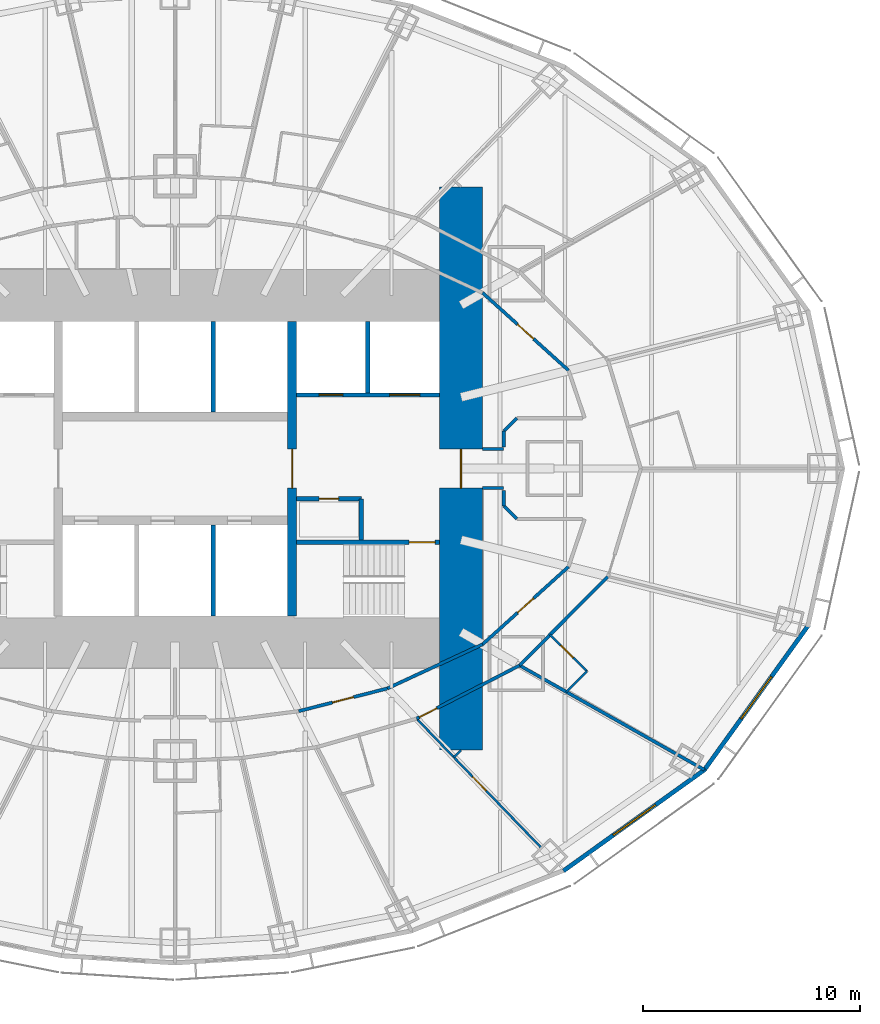
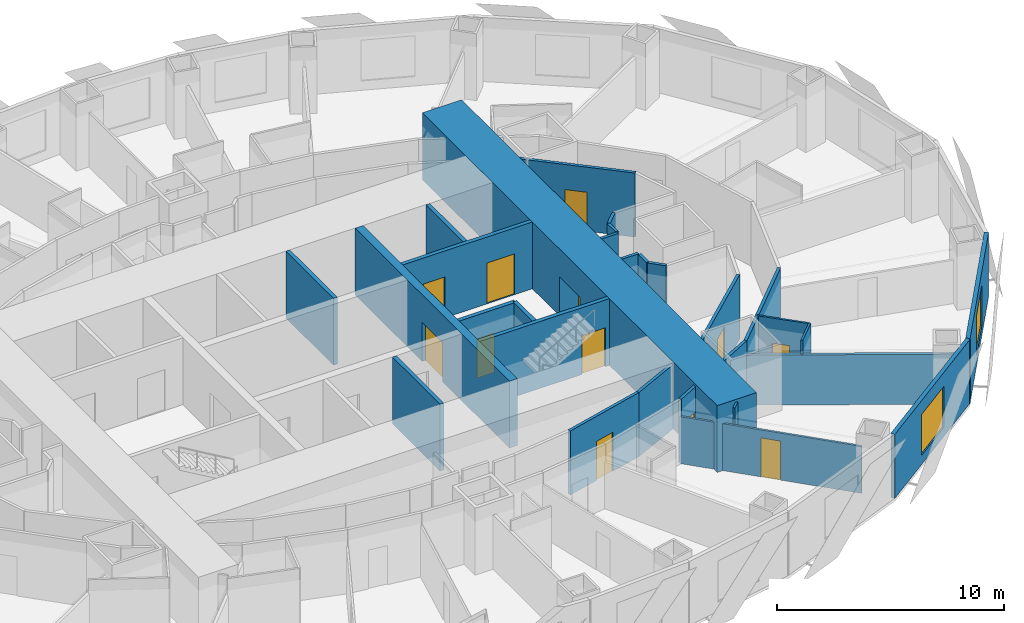
# One storey, part 7 of 15: 28 walls, 12 doors, 2 windows, 14 openings.
"""IFC4 building model written with IfcOpenShell, lengths in metres."""

from ifc_helpers import new_model, si_unit, direction, frame, frame_2d, origin, place, context, subcontext, project, spatial, rectangle, extrude, material, layer, layer_set, type_object, element, fill, save


model = new_model("IFC4")

# Units and contexts
model_context = context("Model", 3, precision=1e-05, world=origin(), true_north=direction((0.0, 1.0)))
body_context = subcontext(model_context, "Body", "Model", "MODEL_VIEW")
ifc_project = project(units=[si_unit("LENGTHUNIT", "METRE"), si_unit("AREAUNIT", "SQUARE_METRE"), si_unit("VOLUMEUNIT", "CUBIC_METRE"), si_unit("PLANEANGLEUNIT", "RADIAN"), si_unit("MASSUNIT", "GRAM", prefix="KILO")], contexts=[model_context])

# Site, building, storey
site_placement = place(None, origin())
site = spatial("IfcSite", under=ifc_project, at=site_placement, CompositionType="ELEMENT")
building_placement = place(site_placement, origin())
building = spatial("IfcBuilding", under=site, at=building_placement, Name="Lantaw Convention Tower", CompositionType="ELEMENT")
storey_placement = place(building_placement, frame((0.0, 0.0, 47.800048828125)))
storey = spatial("IfcBuildingStorey", under=building, at=storey_placement, Name="L09", CompositionType="ELEMENT", Elevation=47.800048828125)

# Wall, opening, door
ifc_material_1 = material(Name="Moisture resistant gypsum board on steel studs", Category="steel")
ifc_layer_1 = layer(ifc_material_1, 0.10009765625)
ifc_layer_set_1 = layer_set([ifc_layer_1], Name="Bathroom wall 100")
wall_type_1 = type_object("IfcWallType", Name="Bathroom wall 100", PredefinedType="PARTITIONING", material=ifc_layer_set_1)
wall_1_placement = place(storey_placement, frame((17.311279296875, -7.668212890625, 0.0), z_axis=(0.0, 0.0, 1.0), x_axis=(0.709138392716, -0.705069315724, 0.0)))
wall_1 = element("IfcWall", 1, at=wall_1_placement, inside=storey, type_object=wall_type_1, Name="Bathroom wall 100", PredefinedType="PARTITIONING", context=body_context, shape_type="SweptSolid", body=[
    extrude(rectangle(XDim=2.39990234375, YDim=0.10009765625, at=frame_2d((1.199951171875, 0.0))), origin(), (0.0, 0.0, 1.0), 3.449951171875),
])
opening_1_placement = place(wall_1_placement, frame((0.699951171875, 0.0, 0.0)))
opening_1 = element("IfcOpeningElement", 2, at=opening_1_placement, cuts=wall_1, Name="Opening L09.59", PredefinedType="OPENING", context=body_context, shape_type="SweptSolid", body=[
    extrude(rectangle(XDim=0.800048828125, YDim=2.10009765625, at=frame_2d((0.39990234375, 1.050048828125))), frame((0.0, 0.06005859375, 0.0), z_axis=(0.0, -1.0, 0.0), x_axis=(1.0, 0.0, 0.0)), (0.0, 0.0, 1.0), 0.1201171875),
])
ifc_material_2 = material(Name="Timber", Category="wood")
door_type_1 = type_object("IfcDoorType", Name="Bathroom door 800", OperationType="SINGLE_SWING_LEFT", PredefinedType="DOOR", material=ifc_material_2)
door_1_placement = place(opening_1_placement, origin())
door_1 = element("IfcDoor", 3, at=door_1_placement, inside=storey, type_object=door_type_1, Name="Bathroom door", OperationType="SINGLE_SWING_LEFT", OverallHeight=2.10009765625, OverallWidth=0.800048828125, PredefinedType="DOOR", context=body_context, shape_type="SweptSolid", body=[
    extrude(rectangle(XDim=0.800048828125, YDim=2.10009765625, at=frame_2d((0.39990234375, 1.050048828125))), frame((0.0, 0.02490234375, 0.0), z_axis=(0.0, -1.0, 0.0), x_axis=(1.0, 0.0, 0.0)), (0.0, 0.0, 1.0), 0.050048828125),
])
fill(opening_1, door_1)

# Wall
wall_2_placement = place(storey_placement, frame((19.01318359375, -9.3603515625, 0.0), z_axis=(0.0, 0.0, 1.0), x_axis=(-0.7051187611, -0.709089227633, 0.0)))
element("IfcWall", 4, at=wall_2_placement, inside=storey, type_object=wall_type_1, Name="Bathroom wall 100", PredefinedType="PARTITIONING", context=body_context, shape_type="SweptSolid", body=[
    extrude(rectangle(XDim=1.352783203125, YDim=0.10009765625, at=frame_2d((0.67626953125, 0.0))), origin(), (0.0, 0.0, 1.0), 3.449951171875),
])

# Wall, opening, door
ifc_material_3 = material(Name="Concrete C60/75", Category="concrete")
ifc_layer_2 = layer(ifc_material_3, 0.199951171875)
ifc_layer_set_2 = layer_set([ifc_layer_2], Name="Core wall 200")
wall_type_2 = type_object("IfcWallType", Name="Core wall 200", PredefinedType="SHEAR", material=ifc_layer_set_2)
wall_3_placement = place(storey_placement, frame((5.60009765625, -3.39990234375, 0.0), z_axis=(0.0, 0.0, 1.0), x_axis=(1.0, 0.0, 0.0)))
wall_3 = element("IfcWall", 5, at=wall_3_placement, inside=storey, type_object=wall_type_2, Name="Core wall ES", PredefinedType="SHEAR", context=body_context, shape_type="SweptSolid", body=[
    extrude(rectangle(XDim=6.599853515625, YDim=0.199951171875, at=frame_2d((3.2998046875, 0.0))), origin(), (0.0, 0.0, 1.0), 3.599853515625),
])
opening_2_placement = place(wall_3_placement, frame((5.199951171875, 0.0, 0.0)))
opening_2 = element("IfcOpeningElement", 6, at=opening_2_placement, cuts=wall_3, Name="Opening L09.04", PredefinedType="OPENING", context=body_context, shape_type="SweptSolid", body=[
    extrude(rectangle(XDim=1.199951171875, YDim=2.10009765625, at=frame_2d((0.60009765625, 1.050048828125))), frame((0.0, 0.10986328125, 0.0), z_axis=(0.0, -1.0, 0.0), x_axis=(1.0, 0.0, 0.0)), (0.0, 0.0, 1.0), 0.219970703125),
])
ifc_material_4 = material(Name="Steel, fire rated", Category="steel")
door_type_2 = type_object("IfcDoorType", Name="Stair door FD90", OperationType="SINGLE_SWING_RIGHT", PredefinedType="DOOR", material=ifc_material_4)
door_2_placement = place(opening_2_placement, origin())
door_2 = element("IfcDoor", 7, at=door_2_placement, inside=storey, type_object=door_type_2, Name="Exit stair door", OperationType="SINGLE_SWING_RIGHT", OverallHeight=2.10009765625, OverallWidth=1.199951171875, PredefinedType="DOOR", context=body_context, shape_type="SweptSolid", body=[
    extrude(rectangle(XDim=1.199951171875, YDim=2.10009765625, at=frame_2d((0.60009765625, 1.050048828125))), frame((0.0, 0.02490234375, 0.0), z_axis=(0.0, -1.0, 0.0), x_axis=(1.0, 0.0, 0.0)), (0.0, 0.0, 1.0), 0.050048828125),
])
fill(opening_2, door_2)

ifc_layer_3 = layer(ifc_material_3, 2.0)
ifc_layer_set_3 = layer_set([ifc_layer_3], Name="Core wall 2000")
wall_type_3 = type_object("IfcWallType", Name="Core wall 2000", PredefinedType="SHEAR", material=ifc_layer_set_3)
wall_4_placement = place(storey_placement, frame((13.199951171875, -13.0, 0.0), z_axis=(0.0, 0.0, 1.0), x_axis=(0.0, 1.0, 0.0)))
wall_4 = element("IfcWall", 8, at=wall_4_placement, inside=storey, type_object=wall_type_3, Name="Core wall E", PredefinedType="SHEAR", context=body_context, shape_type="SweptSolid", body=[
    extrude(rectangle(XDim=26.0, YDim=2.0, at=frame_2d((13.0, 0.0))), origin(), (0.0, 0.0, 1.0), 3.599853515625),
])
opening_3_placement = place(wall_4_placement, frame((12.10009765625, 0.0, 0.0)))
opening_3 = element("IfcOpeningElement", 9, at=opening_3_placement, cuts=wall_4, Name="Opening L09.06", PredefinedType="OPENING", context=body_context, shape_type="SweptSolid", body=[
    extrude(rectangle(XDim=1.800048828125, YDim=2.10009765625, at=frame_2d((0.89990234375, 1.050048828125))), frame((0.0, 1.010009765625, 0.0), z_axis=(0.0, -1.0, 0.0), x_axis=(1.0, 0.0, 0.0)), (0.0, 0.0, 1.0), 2.02001953125),
])
door_type_3 = type_object("IfcDoorType", Name="Lobby double door FD90", OperationType="DOUBLE_DOOR_DOUBLE_SWING", PredefinedType="DOOR", material=ifc_material_4)
door_3_placement = place(opening_3_placement, origin())
door_3 = element("IfcDoor", 10, at=door_3_placement, inside=storey, type_object=door_type_3, Name="Firefighting lobby door", OperationType="DOUBLE_DOOR_DOUBLE_SWING", OverallHeight=2.10009765625, OverallWidth=1.800048828125, PredefinedType="DOOR", context=body_context, shape_type="SweptSolid", body=[
    extrude(rectangle(XDim=1.800048828125, YDim=2.10009765625, at=frame_2d((0.89990234375, 1.050048828125))), frame((0.0, 0.02490234375, 0.0), z_axis=(0.0, -1.0, 0.0), x_axis=(1.0, 0.0, 0.0)), (0.0, 0.0, 1.0), 0.050048828125),
])
fill(opening_3, door_3)

ifc_layer_4 = layer(ifc_material_3, 0.39990234375)
ifc_layer_set_4 = layer_set([ifc_layer_4], Name="Core wall 400")
wall_type_4 = type_object("IfcWallType", Name="Core wall 400", PredefinedType="SHEAR", material=ifc_layer_set_4)
wall_5_placement = place(storey_placement, frame((5.39990234375, -6.800048828125, 0.0), z_axis=(0.0, 0.0, 1.0), x_axis=(0.0, 1.0, 0.0)))
wall_5 = element("IfcWall", 11, at=wall_5_placement, inside=storey, type_object=wall_type_4, Name="Core wall XE", PredefinedType="SHEAR", context=body_context, shape_type="SweptSolid", body=[
    extrude(rectangle(XDim=13.60009765625, YDim=0.39990234375, at=frame_2d((6.800048828125, 0.0))), origin(), (0.0, 0.0, 1.0), 3.599853515625),
])
opening_4_placement = place(wall_5_placement, frame((5.89990234375, 0.0, 0.0)))
opening_4 = element("IfcOpeningElement", 12, at=opening_4_placement, cuts=wall_5, Name="Opening L09.02", PredefinedType="OPENING", context=body_context, shape_type="SweptSolid", body=[
    extrude(rectangle(XDim=1.800048828125, YDim=2.10009765625, at=frame_2d((0.89990234375, 1.050048828125))), frame((0.0, 0.2099609375, 0.0), z_axis=(0.0, -1.0, 0.0), x_axis=(1.0, 0.0, 0.0)), (0.0, 0.0, 1.0), 0.419921875),
])
door_4_placement = place(opening_4_placement, origin())
door_4 = element("IfcDoor", 13, at=door_4_placement, inside=storey, type_object=door_type_3, Name="Lift lobby door", OperationType="DOUBLE_DOOR_DOUBLE_SWING", OverallHeight=2.10009765625, OverallWidth=1.800048828125, PredefinedType="DOOR", context=body_context, shape_type="SweptSolid", body=[
    extrude(rectangle(XDim=1.800048828125, YDim=2.10009765625, at=frame_2d((0.89990234375, 1.050048828125))), frame((0.0, 0.02490234375, 0.0), z_axis=(0.0, -1.0, 0.0), x_axis=(1.0, 0.0, 0.0)), (0.0, 0.0, 1.0), 0.050048828125),
])
fill(opening_4, door_4)

ifc_material_5 = material(Name="Gypsum board on steel studs, fire rated", Category="steel")
ifc_layer_5 = layer(ifc_material_5, 0.14990234375)
ifc_layer_set_5 = layer_set([ifc_layer_5], Name="Corridor wall 150 EI 60")
wall_type_5 = type_object("IfcWallType", Name="Corridor wall 150 EI 60", PredefinedType="PARTITIONING", material=ifc_layer_set_5)
wall_6_placement = place(storey_placement, frame((11.1474609375, -11.543701171875, 0.0), z_axis=(0.0, 0.0, 1.0), x_axis=(0.888333171507, 0.459199495209, 0.0)))
wall_6 = element("IfcWall", 14, at=wall_6_placement, inside=storey, type_object=wall_type_5, Name="Corridor wall 150", PredefinedType="PARTITIONING", context=body_context, shape_type="SweptSolid", body=[
    extrude(rectangle(XDim=5.351318359375, YDim=0.14990234375, at=frame_2d((2.67578125, 0.0))), origin(), (0.0, 0.0, 1.0), 3.449951171875),
])
opening_5_placement = place(wall_6_placement, frame((0.14990234375, 0.0, 0.0)))
opening_5 = element("IfcOpeningElement", 15, at=opening_5_placement, cuts=wall_6, Name="Opening L09.58", PredefinedType="OPENING", context=body_context, shape_type="SweptSolid", body=[
    extrude(rectangle(XDim=0.89990234375, YDim=2.10009765625, at=frame_2d((0.449951171875, 1.050048828125))), frame((0.0, 0.0849609375, 0.0), z_axis=(0.0, -1.0, 0.0), x_axis=(1.0, 0.0, 0.0)), (0.0, 0.0, 1.0), 0.169921875),
])
door_type_4 = type_object("IfcDoorType", Name="Guest room entrance door FD30S", OperationType="SINGLE_SWING_LEFT", PredefinedType="DOOR", material=ifc_material_4)
door_5_placement = place(opening_5_placement, origin())
door_5 = element("IfcDoor", 16, at=door_5_placement, inside=storey, type_object=door_type_4, Name="Suite entrance door", OperationType="SINGLE_SWING_LEFT", OverallHeight=2.10009765625, OverallWidth=0.89990234375, PredefinedType="DOOR", context=body_context, shape_type="SweptSolid", body=[
    extrude(rectangle(XDim=0.89990234375, YDim=2.10009765625, at=frame_2d((0.449951171875, 1.050048828125))), frame((0.0, 0.02490234375, 0.0), z_axis=(0.0, -1.0, 0.0), x_axis=(1.0, 0.0, 0.0)), (0.0, 0.0, 1.0), 0.050048828125),
])
fill(opening_5, door_5)

# Wall
wall_7_placement = place(storey_placement, frame((15.901123046875, -9.08642578125, 0.0), z_axis=(0.0, 0.0, 1.0), x_axis=(0.705121546414, 0.709086457904, 0.0)))
element("IfcWall", 17, at=wall_7_placement, inside=storey, type_object=wall_type_5, Name="Corridor wall 150", PredefinedType="PARTITIONING", context=body_context, shape_type="SweptSolid", body=[
    extrude(rectangle(XDim=5.7880859375, YDim=0.14990234375, at=frame_2d((2.89404296875, 0.0))), origin(), (0.0, 0.0, 1.0), 3.449951171875),
])

# Wall, opening, door
wall_8_placement = place(storey_placement, frame((18.164306640625, 4.52880859375, 0.0), z_axis=(0.0, 0.0, 1.0), x_axis=(-0.742194222, 0.670184852731, 0.0)))
wall_8 = element("IfcWall", 18, at=wall_8_placement, inside=storey, type_object=wall_type_5, Name="Corridor wall 150", PredefinedType="PARTITIONING", context=body_context, shape_type="SweptSolid", body=[
    extrude(rectangle(XDim=5.3466796875, YDim=0.14990234375, at=frame_2d((2.67333984375, 0.0))), origin(), (0.0, 0.0, 1.0), 3.449951171875),
])
opening_6_placement = place(wall_8_placement, frame((2.17333984375, 0.0, 0.0)))
opening_6 = element("IfcOpeningElement", 19, at=opening_6_placement, cuts=wall_8, Name="Opening L09.15", PredefinedType="OPENING", context=body_context, shape_type="SweptSolid", body=[
    extrude(rectangle(XDim=1.0, YDim=2.10009765625, at=frame_2d((0.5, 1.050048828125))), frame((0.0, 0.0849609375, 0.0), z_axis=(0.0, -1.0, 0.0), x_axis=(1.0, 0.0, 0.0)), (0.0, 0.0, 1.0), 0.169921875),
])
door_type_5 = type_object("IfcDoorType", Name="Service door 1000 FD30", OperationType="SINGLE_SWING_LEFT", PredefinedType="DOOR", material=ifc_material_4)
door_6_placement = place(opening_6_placement, origin())
door_6 = element("IfcDoor", 20, at=door_6_placement, inside=storey, type_object=door_type_5, Name="Linen store door", OperationType="SINGLE_SWING_LEFT", OverallHeight=2.10009765625, OverallWidth=1.0, PredefinedType="DOOR", context=body_context, shape_type="SweptSolid", body=[
    extrude(rectangle(XDim=1.0, YDim=2.10009765625, at=frame_2d((0.5, 1.050048828125))), frame((0.0, 0.02490234375, 0.0), z_axis=(0.0, -1.0, 0.0), x_axis=(1.0, 0.0, 0.0)), (0.0, 0.0, 1.0), 0.050048828125),
])
fill(opening_6, door_6)

wall_9_placement = place(storey_placement, frame((5.705810546875, -11.198486328125, 0.0), z_axis=(0.0, 0.0, 1.0), x_axis=(0.968705891355, 0.248211393886, 0.0)))
wall_9 = element("IfcWall", 21, at=wall_9_placement, inside=storey, type_object=wall_type_5, Name="Corridor wall 150", PredefinedType="PARTITIONING", context=body_context, shape_type="SweptSolid", body=[
    extrude(rectangle(XDim=4.2275390625, YDim=0.14990234375, at=frame_2d((2.11376953125, 0.0))), origin(), (0.0, 0.0, 1.0), 3.449951171875),
])
opening_7_placement = place(wall_9_placement, frame((1.61376953125, 0.0, 0.0)))
opening_7 = element("IfcOpeningElement", 22, at=opening_7_placement, cuts=wall_9, Name="Opening L09.24", PredefinedType="OPENING", context=body_context, shape_type="SweptSolid", body=[
    extrude(rectangle(XDim=1.0, YDim=2.10009765625, at=frame_2d((0.5, 1.050048828125))), frame((0.0, 0.0849609375, 0.0), z_axis=(0.0, -1.0, 0.0), x_axis=(1.0, 0.0, 0.0)), (0.0, 0.0, 1.0), 0.169921875),
])
door_7_placement = place(opening_7_placement, origin())
door_7 = element("IfcDoor", 23, at=door_7_placement, inside=storey, type_object=door_type_5, Name="Room service pantry door", OperationType="SINGLE_SWING_LEFT", OverallHeight=2.10009765625, OverallWidth=1.0, PredefinedType="DOOR", context=body_context, shape_type="SweptSolid", body=[
    extrude(rectangle(XDim=1.0, YDim=2.10009765625, at=frame_2d((0.5, 1.050048828125))), frame((0.0, 0.02490234375, 0.0), z_axis=(0.0, -1.0, 0.0), x_axis=(1.0, 0.0, 0.0)), (0.0, 0.0, 1.0), 0.050048828125),
])
fill(opening_7, door_7)

# Wall
wall_10_placement = place(storey_placement, frame((9.801025390625, -10.149169921875, 0.0), z_axis=(0.0, 0.0, 1.0), x_axis=(0.907279653965, 0.420527798727, 0.0)))
element("IfcWall", 24, at=wall_10_placement, inside=storey, type_object=wall_type_5, Name="Corridor wall 150", PredefinedType="PARTITIONING", context=body_context, shape_type="SweptSolid", body=[
    extrude(rectangle(XDim=4.84423828125, YDim=0.14990234375, at=frame_2d((2.422119140625, 0.0))), origin(), (0.0, 0.0, 1.0), 3.449951171875),
])

# Wall, opening, door
wall_11_placement = place(storey_placement, frame((14.196044921875, -8.112060546875, 0.0), z_axis=(0.0, 0.0, 1.0), x_axis=(0.742194222, 0.670184852731, 0.0)))
wall_11 = element("IfcWall", 25, at=wall_11_placement, inside=storey, type_object=wall_type_5, Name="Corridor wall 150", PredefinedType="PARTITIONING", context=body_context, shape_type="SweptSolid", body=[
    extrude(rectangle(XDim=5.3466796875, YDim=0.14990234375, at=frame_2d((2.67333984375, 0.0))), origin(), (0.0, 0.0, 1.0), 3.449951171875),
])
opening_8_placement = place(wall_11_placement, frame((2.17333984375, 0.0, 0.0)))
opening_8 = element("IfcOpeningElement", 26, at=opening_8_placement, cuts=wall_11, Name="Opening L09.23", PredefinedType="OPENING", context=body_context, shape_type="SweptSolid", body=[
    extrude(rectangle(XDim=1.0, YDim=2.10009765625, at=frame_2d((0.5, 1.050048828125))), frame((0.0, 0.0849609375, 0.0), z_axis=(0.0, -1.0, 0.0), x_axis=(1.0, 0.0, 0.0)), (0.0, 0.0, 1.0), 0.169921875),
])
door_8_placement = place(opening_8_placement, origin())
door_8 = element("IfcDoor", 27, at=door_8_placement, inside=storey, type_object=door_type_5, Name="Room service pantry door", OperationType="SINGLE_SWING_LEFT", OverallHeight=2.10009765625, OverallWidth=1.0, PredefinedType="DOOR", context=body_context, shape_type="SweptSolid", body=[
    extrude(rectangle(XDim=1.0, YDim=2.10009765625, at=frame_2d((0.5, 1.050048828125))), frame((0.0, 0.02490234375, 0.0), z_axis=(0.0, -1.0, 0.0), x_axis=(1.0, 0.0, 0.0)), (0.0, 0.0, 1.0), 0.050048828125),
])
fill(opening_8, door_8)

# Walls
for number, where, z_axis, x_axis, name in (
    (28, (14.199951171875, -0.89990234375, 0.0), (0.0, 0.0, 1.0), (1.0, 0.0, 0.0), "Corridor wall 150"),
    (29, (14.199951171875, 0.89990234375, 0.0), (0.0, 0.0, 1.0), (1.0, 0.0, 0.0), "Corridor wall 150"),
):
    element("IfcWall", number, at=place(storey_placement, frame(where, z_axis=z_axis, x_axis=x_axis)), inside=storey, type_object=wall_type_5, Name=name, PredefinedType="PARTITIONING", context=body_context, shape_type="SweptSolid", body=[
        extrude(rectangle(XDim=0.965087890625, YDim=0.14990234375, at=frame_2d((0.482421875, 0.0))), origin(), (0.0, 0.0, 1.0), 3.449951171875),
    ])
wall_12_placement = place(storey_placement, frame((15.175048828125, 1.003173828125, 0.0), z_axis=(0.0, 0.0, 1.0), x_axis=(0.0, 1.0, 0.0)))
element("IfcWall", 30, at=wall_12_placement, inside=storey, type_object=wall_type_5, Name="Corridor wall 150", PredefinedType="PARTITIONING", context=body_context, shape_type="SweptSolid", body=[
    extrude(rectangle(XDim=0.721435546875, YDim=0.14990234375, at=frame_2d((0.36083984375, 0.0))), origin(), (0.0, 0.0, 1.0), 3.449951171875),
])
wall_13_placement = place(storey_placement, frame((15.175048828125, 1.724609375, 0.0), z_axis=(0.0, 0.0, 1.0), x_axis=(0.707106781187, 0.707106781187, 0.0)))
element("IfcWall", 31, at=wall_13_placement, inside=storey, type_object=wall_type_5, Name="Corridor wall 150", PredefinedType="PARTITIONING", context=body_context, shape_type="SweptSolid", body=[
    extrude(rectangle(XDim=0.84912109375, YDim=0.14990234375, at=frame_2d((0.424560546875, 0.0))), origin(), (0.0, 0.0, 1.0), 3.449951171875),
])
wall_14_placement = place(storey_placement, frame((15.175048828125, -1.724609375, 0.0), z_axis=(0.0, 0.0, 1.0), x_axis=(0.0, 1.0, 0.0)))
element("IfcWall", 32, at=wall_14_placement, inside=storey, type_object=wall_type_5, Name="Corridor wall 150", PredefinedType="PARTITIONING", context=body_context, shape_type="SweptSolid", body=[
    extrude(rectangle(XDim=0.721435546875, YDim=0.14990234375, at=frame_2d((0.36083984375, 0.0))), origin(), (0.0, 0.0, 1.0), 3.449951171875),
])
wall_15_placement = place(storey_placement, frame((15.775390625, -2.324951171875, 0.0), z_axis=(0.0, 0.0, 1.0), x_axis=(-0.707106781187, 0.707106781187, 0.0)))
element("IfcWall", 33, at=wall_15_placement, inside=storey, type_object=wall_type_5, Name="Corridor wall 150", PredefinedType="PARTITIONING", context=body_context, shape_type="SweptSolid", body=[
    extrude(rectangle(XDim=0.84912109375, YDim=0.14990234375, at=frame_2d((0.424560546875, 0.0))), origin(), (0.0, 0.0, 1.0), 3.449951171875),
])

# Wall, opening, window
ifc_material_6 = material(Name="Insulated aluminium panel on steel frame", Category="steel")
ifc_layer_6 = layer(ifc_material_6, 0.199951171875)
ifc_layer_set_6 = layer_set([ifc_layer_6], Name="External wall 200")
wall_type_6 = type_object("IfcWallType", Name="External wall 200", PredefinedType="SOLIDWALL", material=ifc_layer_set_6)
wall_16_placement = place(storey_placement, frame((17.9287109375, -18.57177734375, 0.0), z_axis=(0.0, 0.0, 1.0), x_axis=(0.812791321576, 0.582554948112, 0.0)))
wall_16 = element("IfcWall", 34, at=wall_16_placement, inside=storey, type_object=wall_type_6, Name="Facade panel wall", PredefinedType="SOLIDWALL", context=body_context, shape_type="SweptSolid", body=[
    extrude(rectangle(XDim=8.063232421875, YDim=0.199951171875, at=frame_2d((4.03173828125, 0.0))), origin(), (0.0, 0.0, 1.0), 3.449951171875),
])
opening_9_placement = place(wall_16_placement, frame((2.83154296875, 0.0, 0.5)))
opening_9 = element("IfcOpeningElement", 35, at=opening_9_placement, cuts=wall_16, Name="Opening W1", PredefinedType="OPENING", context=body_context, shape_type="SweptSolid", body=[
    extrude(rectangle(XDim=2.39990234375, YDim=2.199951171875, at=frame_2d((1.199951171875, 1.10009765625))), frame((0.0, 0.10986328125, 0.0), z_axis=(0.0, -1.0, 0.0), x_axis=(1.0, 0.0, 0.0)), (0.0, 0.0, 1.0), 0.219970703125),
])
ifc_material_7 = material(Name="Aluminium frame, clear insulating glass", Category="aluminium")
window_type = type_object("IfcWindowType", Name="Guest room window 2400x2200", PartitioningType="SINGLE_PANEL", PredefinedType="WINDOW", material=ifc_material_7)
window_1_placement = place(opening_9_placement, origin())
window_1 = element("IfcWindow", 36, at=window_1_placement, inside=storey, type_object=window_type, Name="Guest room window", OverallHeight=2.199951171875, OverallWidth=2.39990234375, PartitioningType="SINGLE_PANEL", PredefinedType="WINDOW", context=body_context, shape_type="SweptSolid", body=[
    extrude(rectangle(XDim=2.39990234375, YDim=2.199951171875, at=frame_2d((1.199951171875, 1.10009765625))), frame((0.0, 0.030029296875, 0.0), z_axis=(0.0, -1.0, 0.0), x_axis=(1.0, 0.0, 0.0)), (0.0, 0.0, 1.0), 0.06005859375),
])
fill(opening_9, window_1)

wall_17_placement = place(storey_placement, frame((24.400390625, -13.95654296875, 0.0), z_axis=(0.0, 0.0, 1.0), x_axis=(0.583937613703, 0.811798536155, 0.0)))
wall_17 = element("IfcWall", 37, at=wall_17_placement, inside=storey, type_object=wall_type_6, Name="Facade panel wall", PredefinedType="SOLIDWALL", context=body_context, shape_type="SweptSolid", body=[
    extrude(rectangle(XDim=8.322998046875, YDim=0.199951171875, at=frame_2d((4.16162109375, 0.0))), origin(), (0.0, 0.0, 1.0), 3.449951171875),
])
opening_10_placement = place(wall_17_placement, frame((2.96142578125, 0.0, 0.5)))
opening_10 = element("IfcOpeningElement", 38, at=opening_10_placement, cuts=wall_17, Name="Opening W1", PredefinedType="OPENING", context=body_context, shape_type="SweptSolid", body=[
    extrude(rectangle(XDim=2.39990234375, YDim=2.199951171875, at=frame_2d((1.199951171875, 1.10009765625))), frame((0.0, 0.10986328125, 0.0), z_axis=(0.0, -1.0, 0.0), x_axis=(1.0, 0.0, 0.0)), (0.0, 0.0, 1.0), 0.219970703125),
])
window_2_placement = place(opening_10_placement, origin())
window_2 = element("IfcWindow", 39, at=window_2_placement, inside=storey, type_object=window_type, Name="Guest room window", OverallHeight=2.199951171875, OverallWidth=2.39990234375, PartitioningType="SINGLE_PANEL", PredefinedType="WINDOW", context=body_context, shape_type="SweptSolid", body=[
    extrude(rectangle(XDim=2.39990234375, YDim=2.199951171875, at=frame_2d((1.199951171875, 1.10009765625))), frame((0.0, 0.030029296875, 0.0), z_axis=(0.0, -1.0, 0.0), x_axis=(1.0, 0.0, 0.0)), (0.0, 0.0, 1.0), 0.06005859375),
])
fill(opening_10, window_2)

# Walls
ifc_material_8 = material(Name="Gypsum board on steel studs, acoustic", Category="steel")
ifc_layer_7 = layer(ifc_material_8, 0.14990234375)
ifc_layer_set_7 = layer_set([ifc_layer_7], Name="Guest room party wall 150")
wall_type_7 = type_object("IfcWallType", Name="Guest room party wall 150", PredefinedType="PARTITIONING", material=ifc_layer_set_7)
wall_18_placement = place(storey_placement, frame((24.434814453125, -13.90869140625, 0.0), z_axis=(0.0, 0.0, 1.0), x_axis=(-0.870612006791, 0.491970256856, 0.0)))
element("IfcWall", 40, at=wall_18_placement, inside=storey, type_object=wall_type_7, Name="Guest room party wall 150", PredefinedType="PARTITIONING", context=body_context, shape_type="SweptSolid", body=[
    extrude(rectangle(XDim=9.802001953125, YDim=0.14990234375, at=frame_2d((4.90087890625, 0.0))), origin(), (0.0, 0.0, 1.0), 2.693115234375),
])
ifc_layer_8 = layer(ifc_material_8, 0.10009765625)
ifc_layer_set_8 = layer_set([ifc_layer_8], Name="Office partition 100")
wall_type_8 = type_object("IfcWallType", Name="Office partition 100", PredefinedType="PARTITIONING", material=ifc_layer_set_8)
wall_19_placement = place(storey_placement, frame((13.199951171875, -13.0, 0.0), z_axis=(0.0, 0.0, 1.0), x_axis=(-0.719347134512, -0.69465077562, 0.0)))
element("IfcWall", 41, at=wall_19_placement, inside=storey, type_object=wall_type_8, Name="Office partition 100", PredefinedType="PARTITIONING", context=body_context, shape_type="SweptSolid", body=[
    extrude(rectangle(XDim=0.464599609375, YDim=0.10009765625, at=frame_2d((0.232421875, 0.0))), origin(), (0.0, 0.0, 1.0), 3.449951171875),
])

# Wall, opening, door
ifc_material_9 = material(Name="Concrete blockwork, fire rated", Category="masonry")
ifc_layer_9 = layer(ifc_material_9, 0.199951171875)
ifc_layer_set_9 = layer_set([ifc_layer_9], Name="Plant room wall 200 EI 120")
wall_type_9 = type_object("IfcWallType", Name="Plant room wall 200 EI 120", PredefinedType="SOLIDWALL", material=ifc_layer_set_9)
wall_20_placement = place(storey_placement, frame((5.60009765625, -1.39990234375, 0.0), z_axis=(0.0, 0.0, 1.0), x_axis=(1.0, 0.0, 0.0)))
wall_20 = element("IfcWall", 42, at=wall_20_placement, inside=storey, type_object=wall_type_9, Name="Plant room wall 200", PredefinedType="SOLIDWALL", context=body_context, shape_type="SweptSolid", body=[
    extrude(rectangle(XDim=3.0, YDim=0.199951171875, at=frame_2d((1.5, 0.0))), origin(), (0.0, 0.0, 1.0), 3.449951171875),
])
opening_11_placement = place(wall_20_placement, frame((1.050048828125, 0.0, 0.0)))
opening_11 = element("IfcOpeningElement", 43, at=opening_11_placement, cuts=wall_20, Name="Opening L09.01", PredefinedType="OPENING", context=body_context, shape_type="SweptSolid", body=[
    extrude(rectangle(XDim=0.89990234375, YDim=2.10009765625, at=frame_2d((0.449951171875, 1.050048828125))), frame((0.0, 0.10986328125, 0.0), z_axis=(0.0, -1.0, 0.0), x_axis=(1.0, 0.0, 0.0)), (0.0, 0.0, 1.0), 0.219970703125),
])
door_type_6 = type_object("IfcDoorType", Name="Service door 900 FD60", OperationType="SINGLE_SWING_LEFT", PredefinedType="DOOR", material=ifc_material_4)
door_9_placement = place(opening_11_placement, origin())
door_9 = element("IfcDoor", 44, at=door_9_placement, inside=storey, type_object=door_type_6, Name="Staff WC door", OperationType="SINGLE_SWING_LEFT", OverallHeight=2.10009765625, OverallWidth=0.89990234375, PredefinedType="DOOR", context=body_context, shape_type="SweptSolid", body=[
    extrude(rectangle(XDim=0.89990234375, YDim=2.10009765625, at=frame_2d((0.449951171875, 1.050048828125))), frame((0.0, 0.02490234375, 0.0), z_axis=(0.0, -1.0, 0.0), x_axis=(1.0, 0.0, 0.0)), (0.0, 0.0, 1.0), 0.050048828125),
])
fill(opening_11, door_9)

# Walls
wall_21_placement = place(storey_placement, frame((8.60009765625, -1.39990234375, 0.0), z_axis=(0.0, 0.0, 1.0), x_axis=(0.0, -1.0, 0.0)))
element("IfcWall", 45, at=wall_21_placement, inside=storey, type_object=wall_type_9, Name="Plant room wall 200", PredefinedType="SOLIDWALL", context=body_context, shape_type="SweptSolid", body=[
    extrude(rectangle(XDim=1.900146484375, YDim=0.199951171875, at=frame_2d((0.9501953125, 0.0))), origin(), (0.0, 0.0, 1.0), 3.449951171875),
])
ifc_layer_10 = layer(ifc_material_9, 0.199951171875)
ifc_layer_set_10 = layer_set([ifc_layer_10], Name="Shaft wall 200")
wall_type_10 = type_object("IfcWallType", Name="Shaft wall 200", PredefinedType="SOLIDWALL", material=ifc_layer_set_10)
wall_22_placement = place(storey_placement, frame((1.7666015625, 2.60009765625, 0.0), z_axis=(0.0, 0.0, 1.0), x_axis=(0.0, 1.0, 0.0)))
element("IfcWall", 46, at=wall_22_placement, inside=storey, type_object=wall_type_10, Name="Shaft wall DN2", PredefinedType="SOLIDWALL", context=body_context, shape_type="SweptSolid", body=[
    extrude(rectangle(XDim=4.199951171875, YDim=0.199951171875, at=frame_2d((2.10009765625, 0.0))), origin(), (0.0, 0.0, 1.0), 3.599853515625),
])

# Wall, openings, doors
wall_23_placement = place(storey_placement, frame((12.199951171875, 3.39990234375, 0.0), z_axis=(0.0, 0.0, 1.0), x_axis=(-1.0, 0.0, 0.0)))
wall_23 = element("IfcWall", 47, at=wall_23_placement, inside=storey, type_object=wall_type_10, Name="Shaft wall EN", PredefinedType="SOLIDWALL", context=body_context, shape_type="SweptSolid", body=[
    extrude(rectangle(XDim=6.599853515625, YDim=0.199951171875, at=frame_2d((3.2998046875, 0.0))), origin(), (0.0, 0.0, 1.0), 3.599853515625),
])
opening_12_placement = place(wall_23_placement, frame((4.449951171875, 0.0, 0.0)))
opening_12 = element("IfcOpeningElement", 48, at=opening_12_placement, cuts=wall_23, Name="Opening L09.13", PredefinedType="OPENING", context=body_context, shape_type="SweptSolid", body=[
    extrude(rectangle(XDim=1.10009765625, YDim=2.199951171875, at=frame_2d((0.550048828125, 1.10009765625))), frame((0.0, 0.10986328125, 0.0), z_axis=(0.0, -1.0, 0.0), x_axis=(1.0, 0.0, 0.0)), (0.0, 0.0, 1.0), 0.219970703125),
])
opening_13_placement = place(wall_23_placement, frame((0.89990234375, 0.0, 0.0)))
opening_13 = element("IfcOpeningElement", 49, at=opening_13_placement, cuts=wall_23, Name="Opening L09.14", PredefinedType="OPENING", context=body_context, shape_type="SweptSolid", body=[
    extrude(rectangle(XDim=1.39990234375, YDim=2.199951171875, at=frame_2d((0.699951171875, 1.10009765625))), frame((0.0, 0.10986328125, 0.0), z_axis=(0.0, -1.0, 0.0), x_axis=(1.0, 0.0, 0.0)), (0.0, 0.0, 1.0), 0.219970703125),
])
ifc_material_10 = material(Name="Stainless steel", Category="steel")
door_type_7 = type_object("IfcDoorType", Name="Lift landing door 1100", OperationType="DOUBLE_DOOR_SLIDING", PredefinedType="DOOR", material=ifc_material_10)
door_10_placement = place(opening_12_placement, origin())
door_10 = element("IfcDoor", 50, at=door_10_placement, inside=storey, type_object=door_type_7, Name="Lift landing door FF2", OperationType="DOUBLE_DOOR_SLIDING", OverallHeight=2.199951171875, OverallWidth=1.10009765625, PredefinedType="DOOR", context=body_context, shape_type="SweptSolid", body=[
    extrude(rectangle(XDim=1.10009765625, YDim=2.199951171875, at=frame_2d((0.550048828125, 1.10009765625))), frame((0.0, 0.02490234375, 0.0), z_axis=(0.0, -1.0, 0.0), x_axis=(1.0, 0.0, 0.0)), (0.0, 0.0, 1.0), 0.050048828125),
])
fill(opening_12, door_10)
door_type_8 = type_object("IfcDoorType", Name="Lift landing door 1400", OperationType="DOUBLE_DOOR_SLIDING", PredefinedType="DOOR", material=ifc_material_10)
door_11_placement = place(opening_13_placement, origin())
door_11 = element("IfcDoor", 51, at=door_11_placement, inside=storey, type_object=door_type_8, Name="Lift landing door SV2", OperationType="DOUBLE_DOOR_SLIDING", OverallHeight=2.199951171875, OverallWidth=1.39990234375, PredefinedType="DOOR", context=body_context, shape_type="SweptSolid", body=[
    extrude(rectangle(XDim=1.39990234375, YDim=2.199951171875, at=frame_2d((0.699951171875, 1.10009765625))), frame((0.0, 0.02490234375, 0.0), z_axis=(0.0, -1.0, 0.0), x_axis=(1.0, 0.0, 0.0)), (0.0, 0.0, 1.0), 0.050048828125),
])
fill(opening_13, door_11)

# Walls
wall_24_placement = place(storey_placement, frame((8.89990234375, 3.5, 0.0), z_axis=(0.0, 0.0, 1.0), x_axis=(0.0, 1.0, 0.0)))
element("IfcWall", 52, at=wall_24_placement, inside=storey, type_object=wall_type_10, Name="Shaft wall ED", PredefinedType="SOLIDWALL", context=body_context, shape_type="SweptSolid", body=[
    extrude(rectangle(XDim=3.300048828125, YDim=0.199951171875, at=frame_2d((1.64990234375, 0.0))), origin(), (0.0, 0.0, 1.0), 3.599853515625),
])
ifc_layer_11 = layer(ifc_material_9, 0.199951171875)
ifc_layer_set_11 = layer_set([ifc_layer_11], Name="Shaft wall 200 load-bearing")
wall_type_11 = type_object("IfcWallType", Name="Shaft wall 200 load-bearing", PredefinedType="SOLIDWALL", material=ifc_layer_set_11)
wall_25_placement = place(storey_placement, frame((1.7666015625, -2.60009765625, 0.0), z_axis=(0.0, 0.0, 1.0), x_axis=(0.0, -1.0, 0.0)))
element("IfcWall", 53, at=wall_25_placement, inside=storey, type_object=wall_type_11, Name="Shaft wall DS2", PredefinedType="SOLIDWALL", context=body_context, shape_type="SweptSolid", body=[
    extrude(rectangle(XDim=4.199951171875, YDim=0.199951171875, at=frame_2d((2.10009765625, 0.0))), origin(), (0.0, 0.0, 1.0), 3.599853515625),
])

# Wall, opening, door
ifc_material_11 = material(Name="Gypsum board on steel studs", Category="steel")
ifc_layer_12 = layer(ifc_material_11, 0.10009765625)
ifc_layer_set_12 = layer_set([ifc_layer_12], Name="Suite partition 100")
wall_type_12 = type_object("IfcWallType", Name="Suite partition 100", PredefinedType="PARTITIONING", material=ifc_layer_set_12)
wall_26_placement = place(storey_placement, frame((16.943603515625, -17.54541015625, 0.0), z_axis=(0.0, 0.0, 1.0), x_axis=(-0.694680670522, 0.71931826475, 0.0)))
wall_26 = element("IfcWall", 54, at=wall_26_placement, inside=storey, type_object=wall_type_12, Name="Suite partition 100", PredefinedType="PARTITIONING", context=body_context, shape_type="SweptSolid", body=[
    extrude(rectangle(XDim=8.343505859375, YDim=0.10009765625, at=frame_2d((4.171875, 0.0))), origin(), (0.0, 0.0, 1.0), 2.52783203125),
])
opening_14_placement = place(wall_26_placement, frame((3.7216796875, 0.0, 0.0)))
opening_14 = element("IfcOpeningElement", 55, at=opening_14_placement, cuts=wall_26, Name="Opening L09.57", PredefinedType="OPENING", context=body_context, shape_type="SweptSolid", body=[
    extrude(rectangle(XDim=0.89990234375, YDim=2.10009765625, at=frame_2d((0.449951171875, 1.050048828125))), frame((0.0, 0.06005859375, 0.0), z_axis=(0.0, -1.0, 0.0), x_axis=(1.0, 0.0, 0.0)), (0.0, 0.0, 1.0), 0.1201171875),
])
door_type_9 = type_object("IfcDoorType", Name="Suite door 900", OperationType="SINGLE_SWING_LEFT", PredefinedType="DOOR", material=ifc_material_2)
door_12_placement = place(opening_14_placement, origin())
door_12 = element("IfcDoor", 56, at=door_12_placement, inside=storey, type_object=door_type_9, Name="Bedroom door", OperationType="SINGLE_SWING_LEFT", OverallHeight=2.10009765625, OverallWidth=0.89990234375, PredefinedType="DOOR", context=body_context, shape_type="SweptSolid", body=[
    extrude(rectangle(XDim=0.89990234375, YDim=2.10009765625, at=frame_2d((0.449951171875, 1.050048828125))), frame((0.0, 0.02490234375, 0.0), z_axis=(0.0, -1.0, 0.0), x_axis=(1.0, 0.0, 0.0)), (0.0, 0.0, 1.0), 0.050048828125),
])
fill(opening_14, door_12)

save(model, "model.ifc")
